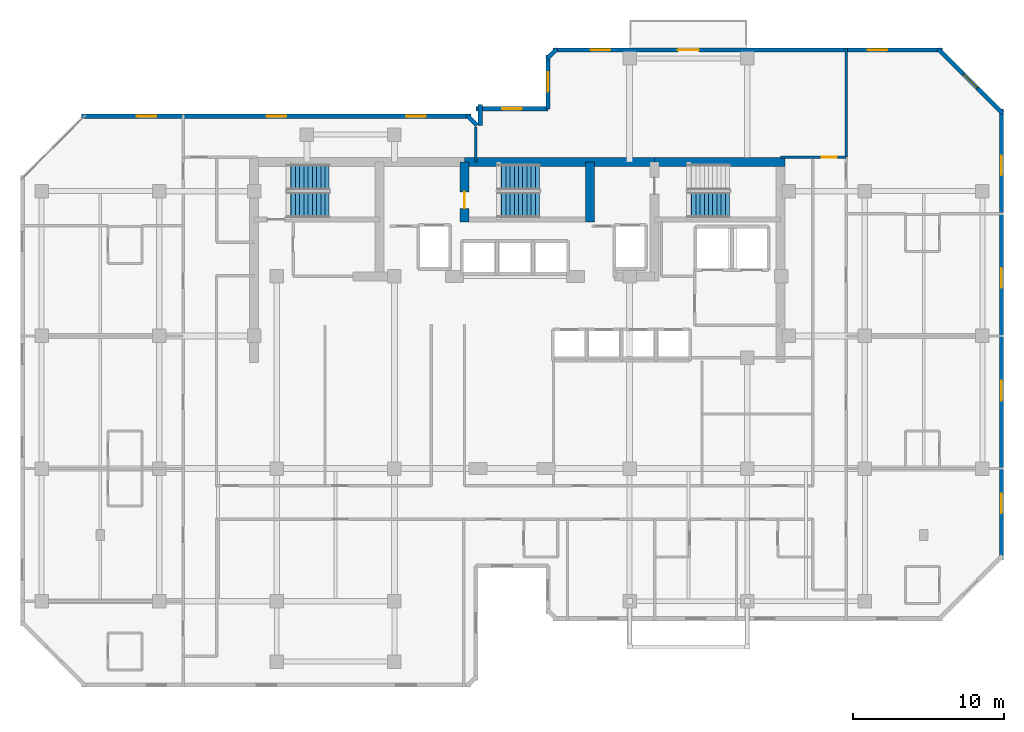
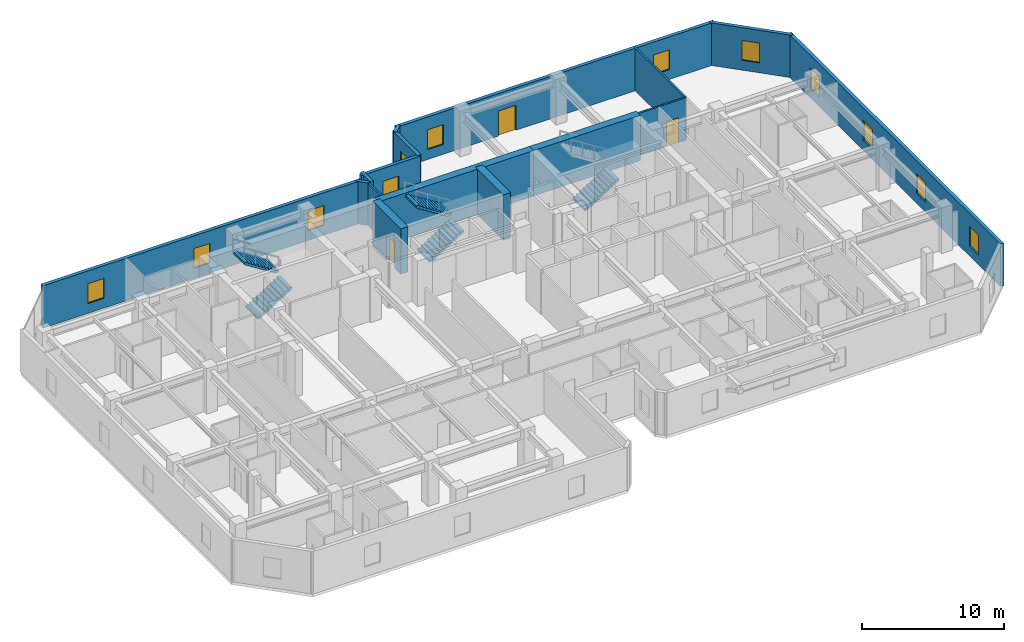
# One storey, part 8 of 10: 16 walls, 12 windows, 5 stair flights, 3 doors, 15 openings, 3 elements without a shape of their own.
"""IFC4 building model written with IfcOpenShell, lengths in metres."""

from ifc_helpers import new_model, si_unit, direction, frame, frame_2d, origin, place, context, subcontext, project, spatial, polyline, rectangle, outline, extrude, material, layer, layer_set, type_object, element, fill, aggregate, save


model = new_model("IFC4")

# Units and contexts
model_context = context("Model", 3, precision=1e-05, world=origin(), true_north=direction((0.0, 1.0)))
body_context = subcontext(model_context, "Body", "Model", "MODEL_VIEW")
ifc_project = project(units=[si_unit("LENGTHUNIT", "METRE"), si_unit("AREAUNIT", "SQUARE_METRE"), si_unit("VOLUMEUNIT", "CUBIC_METRE"), si_unit("PLANEANGLEUNIT", "RADIAN"), si_unit("MASSUNIT", "GRAM", prefix="KILO")], contexts=[model_context])

# Site, building, storey
site_placement = place(None, origin())
site = spatial("IfcSite", under=ifc_project, at=site_placement, CompositionType="ELEMENT")
building_placement = place(site_placement, origin())
building = spatial("IfcBuilding", under=site, at=building_placement, Name="Kestravale Grand Hotel", CompositionType="ELEMENT")
storey_placement = place(building_placement, frame((0.0, 0.0, 224.10009765625)))
storey = spatial("IfcBuildingStorey", under=building, at=storey_placement, Name="L56", CompositionType="ELEMENT", Elevation=224.10009765625)

# Walls
ifc_material_1 = material(Name="Concrete f'c 50 MPa", Category="concrete")
ifc_layer_1 = layer(ifc_material_1, 0.60009765625)
ifc_layer_set_1 = layer_set([ifc_layer_1], Name="EW-CORE-600")
wall_type_1 = type_object("IfcWallType", Name="EW-CORE-600", PredefinedType="SHEAR", material=ifc_layer_set_1)
wall_1_placement = place(storey_placement, frame((35.85009765625, 40.320068359375, 0.0), z_axis=(0.0, 0.0, 1.0), x_axis=(1.0, 0.0, 0.0)))
element("IfcWall", 1, at=wall_1_placement, inside=storey, type_object=wall_type_1, Name="L56 core shear wall N2", PredefinedType="SHEAR", context=body_context, shape_type="SweptSolid", body=[
    extrude(rectangle(XDim=12.599853515625, YDim=0.60009765625, at=frame_2d((6.2998046875, 0.0))), origin(), (0.0, 0.0, 1.0), 3.89990234375),
])
wall_2_placement = place(storey_placement, frame((48.449951171875, 40.320068359375, 0.0), z_axis=(0.0, 0.0, 1.0), x_axis=(1.0, 0.0, 0.0)))
element("IfcWall", 2, at=wall_2_placement, inside=storey, type_object=wall_type_1, Name="L56 core shear wall N3", PredefinedType="SHEAR", context=body_context, shape_type="SweptSolid", body=[
    extrude(rectangle(XDim=8.670166015625, YDim=0.60009765625, at=frame_2d((4.3349609375, 0.0))), origin(), (0.0, 0.0, 1.0), 3.89990234375),
])

# Wall, opening, door
wall_3_placement = place(storey_placement, frame((35.85009765625, 36.3701171875, 0.0), z_axis=(0.0, 0.0, 1.0), x_axis=(0.0, 1.0, 0.0)))
wall_3 = element("IfcWall", 3, at=wall_3_placement, inside=storey, type_object=wall_type_1, Name="L56 core shear wall X2", PredefinedType="SHEAR", context=body_context, shape_type="SweptSolid", body=[
    extrude(rectangle(XDim=3.949951171875, YDim=0.60009765625, at=frame_2d((1.97509765625, 0.0))), origin(), (0.0, 0.0, 1.0), 3.89990234375),
])
opening_1_placement = place(wall_3_placement, frame((0.8798828125, 0.0, 0.0)))
opening_1 = element("IfcOpeningElement", 4, at=opening_1_placement, cuts=wall_3, Name="Opening D-ST-1100", PredefinedType="OPENING", context=body_context, shape_type="SweptSolid", body=[
    extrude(rectangle(XDim=1.10009765625, YDim=2.14990234375, at=frame_2d((0.550048828125, 1.074951171875))), frame((0.0, 0.31005859375, 0.0), z_axis=(0.0, -1.0, 0.0), x_axis=(1.0, 0.0, 0.0)), (0.0, 0.0, 1.0), 0.6201171875),
])
ifc_material_2 = material(Name="Galvanised 90-minute fire-rated steel stair door", Category="steel")
door_type_1 = type_object("IfcDoorType", Name="D-ST-1100", OperationType="NOTDEFINED", PredefinedType="DOOR", material=ifc_material_2)
door_1_placement = place(opening_1_placement, origin())
door_1 = element("IfcDoor", 5, at=door_1_placement, inside=storey, type_object=door_type_1, Name="L56 Stair ST-2 FSAE fire door", OperationType="SINGLE_SWING_RIGHT", OverallHeight=2.14990234375, OverallWidth=1.10009765625, PredefinedType="DOOR", context=body_context, shape_type="SweptSolid", body=[
    extrude(rectangle(XDim=1.10009765625, YDim=2.14990234375, at=frame_2d((0.550048828125, 1.074951171875))), frame((0.0, 0.02490234375, 0.0), z_axis=(0.0, -1.0, 0.0), x_axis=(1.0, 0.0, 0.0)), (0.0, 0.0, 1.0), 0.050048828125),
])
fill(opening_1, door_1)

# Wall
wall_4_placement = place(storey_placement, frame((44.179931640625, 36.3701171875, 0.0), z_axis=(0.0, 0.0, 1.0), x_axis=(0.0, 1.0, 0.0)))
element("IfcWall", 6, at=wall_4_placement, inside=storey, type_object=wall_type_1, Name="L56 core shear wall X3", PredefinedType="SHEAR", context=body_context, shape_type="SweptSolid", body=[
    extrude(rectangle(XDim=3.949951171875, YDim=0.60009765625, at=frame_2d((1.97509765625, 0.0))), origin(), (0.0, 0.0, 1.0), 3.89990234375),
])

# Wall, openings, windows
ifc_material_3 = material(Name="Precast concrete f'c 45 MPa", Category="concrete")
ifc_layer_2 = layer(ifc_material_3, 0.280029296875)
ifc_layer_set_2 = layer_set([ifc_layer_2], Name="EW-PREC-280")
wall_type_2 = type_object("IfcWallType", Name="EW-PREC-280", PredefinedType="SOLIDWALL", material=ifc_layer_set_2)
wall_5_placement = place(storey_placement, frame((71.4599609375, 13.9599609375, 0.0), z_axis=(0.0, 0.0, 1.0), x_axis=(0.0, 1.0, 0.0)))
wall_5 = element("IfcWall", 7, at=wall_5_placement, inside=storey, type_object=wall_type_2, Name="L56 fluted precast facade wall 9", PredefinedType="SOLIDWALL", context=body_context, shape_type="SweptSolid", body=[
    extrude(rectangle(XDim=29.880126953125, YDim=0.280029296875, at=frame_2d((14.93994140625, 0.0))), origin(), (0.0, 0.0, 1.0), 3.64990234375),
])
opening_2_placement = place(wall_5_placement, frame((3.0849609375, 0.0, 0.85009765625)))
opening_2 = element("IfcOpeningElement", 8, at=opening_2_placement, cuts=wall_5, Name="Opening W-GUEST-1300", PredefinedType="OPENING", context=body_context, shape_type="SweptSolid", body=[
    extrude(rectangle(XDim=1.300048828125, YDim=1.699951171875, at=frame_2d((0.64990234375, 0.85009765625))), frame((0.0, 0.14990234375, 0.0), z_axis=(0.0, -1.0, 0.0), x_axis=(1.0, 0.0, 0.0)), (0.0, 0.0, 1.0), 0.300048828125),
])
opening_3_placement = place(wall_5_placement, frame((10.554931640625, 0.0, 0.85009765625)))
opening_3 = element("IfcOpeningElement", 9, at=opening_3_placement, cuts=wall_5, Name="Opening W-GUEST-1300", PredefinedType="OPENING", context=body_context, shape_type="SweptSolid", body=[
    extrude(rectangle(XDim=1.300048828125, YDim=1.699951171875, at=frame_2d((0.64990234375, 0.85009765625))), frame((0.0, 0.14990234375, 0.0), z_axis=(0.0, -1.0, 0.0), x_axis=(1.0, 0.0, 0.0)), (0.0, 0.0, 1.0), 0.300048828125),
])
opening_4_placement = place(wall_5_placement, frame((18.02490234375, 0.0, 0.85009765625)))
opening_4 = element("IfcOpeningElement", 10, at=opening_4_placement, cuts=wall_5, Name="Opening W-GUEST-1300", PredefinedType="OPENING", context=body_context, shape_type="SweptSolid", body=[
    extrude(rectangle(XDim=1.300048828125, YDim=1.699951171875, at=frame_2d((0.64990234375, 0.85009765625))), frame((0.0, 0.14990234375, 0.0), z_axis=(0.0, -1.0, 0.0), x_axis=(1.0, 0.0, 0.0)), (0.0, 0.0, 1.0), 0.300048828125),
])
opening_5_placement = place(wall_5_placement, frame((25.4951171875, 0.0, 0.85009765625)))
opening_5 = element("IfcOpeningElement", 11, at=opening_5_placement, cuts=wall_5, Name="Opening W-GUEST-1300", PredefinedType="OPENING", context=body_context, shape_type="SweptSolid", body=[
    extrude(rectangle(XDim=1.300048828125, YDim=1.699951171875, at=frame_2d((0.64990234375, 0.85009765625))), frame((0.0, 0.14990234375, 0.0), z_axis=(0.0, -1.0, 0.0), x_axis=(1.0, 0.0, 0.0)), (0.0, 0.0, 1.0), 0.300048828125),
])
ifc_material_4 = material(Name="Insulated low-E double glazing in aluminium frame", Category="aluminium")
window_type = type_object("IfcWindowType", Name="W-GUEST-1300", PartitioningType="SINGLE_PANEL", PredefinedType="WINDOW", material=ifc_material_4)
window_1_placement = place(opening_2_placement, origin())
window_1 = element("IfcWindow", 12, at=window_1_placement, inside=storey, type_object=window_type, Name="L56 exterior window 9.1", OverallHeight=1.699951171875, OverallWidth=1.300048828125, PartitioningType="SINGLE_PANEL", PredefinedType="WINDOW", context=body_context, shape_type="SweptSolid", body=[
    extrude(rectangle(XDim=1.300048828125, YDim=1.699951171875, at=frame_2d((0.64990234375, 0.85009765625))), frame((0.0, 0.030029296875, 0.0), z_axis=(0.0, -1.0, 0.0), x_axis=(1.0, 0.0, 0.0)), (0.0, 0.0, 1.0), 0.06005859375),
])
fill(opening_2, window_1)
window_2_placement = place(opening_3_placement, origin())
window_2 = element("IfcWindow", 13, at=window_2_placement, inside=storey, type_object=window_type, Name="L56 exterior window 9.2", OverallHeight=1.699951171875, OverallWidth=1.300048828125, PartitioningType="SINGLE_PANEL", PredefinedType="WINDOW", context=body_context, shape_type="SweptSolid", body=[
    extrude(rectangle(XDim=1.300048828125, YDim=1.699951171875, at=frame_2d((0.64990234375, 0.85009765625))), frame((0.0, 0.030029296875, 0.0), z_axis=(0.0, -1.0, 0.0), x_axis=(1.0, 0.0, 0.0)), (0.0, 0.0, 1.0), 0.06005859375),
])
fill(opening_3, window_2)
window_3_placement = place(opening_4_placement, origin())
window_3 = element("IfcWindow", 14, at=window_3_placement, inside=storey, type_object=window_type, Name="L56 exterior window 9.3", OverallHeight=1.699951171875, OverallWidth=1.300048828125, PartitioningType="SINGLE_PANEL", PredefinedType="WINDOW", context=body_context, shape_type="SweptSolid", body=[
    extrude(rectangle(XDim=1.300048828125, YDim=1.699951171875, at=frame_2d((0.64990234375, 0.85009765625))), frame((0.0, 0.030029296875, 0.0), z_axis=(0.0, -1.0, 0.0), x_axis=(1.0, 0.0, 0.0)), (0.0, 0.0, 1.0), 0.06005859375),
])
fill(opening_4, window_3)
window_4_placement = place(opening_5_placement, origin())
window_4 = element("IfcWindow", 15, at=window_4_placement, inside=storey, type_object=window_type, Name="L56 exterior window 9.4", OverallHeight=1.699951171875, OverallWidth=1.300048828125, PartitioningType="SINGLE_PANEL", PredefinedType="WINDOW", context=body_context, shape_type="SweptSolid", body=[
    extrude(rectangle(XDim=1.300048828125, YDim=1.699951171875, at=frame_2d((0.64990234375, 0.85009765625))), frame((0.0, 0.030029296875, 0.0), z_axis=(0.0, -1.0, 0.0), x_axis=(1.0, 0.0, 0.0)), (0.0, 0.0, 1.0), 0.06005859375),
])
fill(opening_5, window_4)

# Wall, opening, window
wall_6_placement = place(storey_placement, frame((71.529296875, 43.57275390625, 0.0), z_axis=(0.0, 0.0, 1.0), x_axis=(-0.707106781187, 0.707106781187, 0.0)))
wall_6 = element("IfcWall", 16, at=wall_6_placement, inside=storey, type_object=wall_type_2, Name="L56 fluted precast facade wall 10", PredefinedType="SOLIDWALL", context=body_context, shape_type="SweptSolid", body=[
    extrude(rectangle(XDim=6.019775390625, YDim=0.280029296875, at=frame_2d((3.009765625, 0.0))), origin(), (0.0, 0.0, 1.0), 3.64990234375),
])
opening_6_placement = place(wall_6_placement, frame((2.35986328125, 0.0, 0.85009765625)))
opening_6 = element("IfcOpeningElement", 17, at=opening_6_placement, cuts=wall_6, Name="Opening W-GUEST-1300", PredefinedType="OPENING", context=body_context, shape_type="SweptSolid", body=[
    extrude(rectangle(XDim=1.300048828125, YDim=1.699951171875, at=frame_2d((0.64990234375, 0.85009765625))), frame((0.0, 0.14990234375, 0.0), z_axis=(0.0, -1.0, 0.0), x_axis=(1.0, 0.0, 0.0)), (0.0, 0.0, 1.0), 0.300048828125),
])
window_5_placement = place(opening_6_placement, origin())
window_5 = element("IfcWindow", 18, at=window_5_placement, inside=storey, type_object=window_type, Name="L56 exterior window 10.1", OverallHeight=1.699951171875, OverallWidth=1.300048828125, PartitioningType="SINGLE_PANEL", PredefinedType="WINDOW", context=body_context, shape_type="SweptSolid", body=[
    extrude(rectangle(XDim=1.300048828125, YDim=1.699951171875, at=frame_2d((0.64990234375, 0.85009765625))), frame((0.0, 0.030029296875, 0.0), z_axis=(0.0, -1.0, 0.0), x_axis=(1.0, 0.0, 0.0)), (0.0, 0.0, 1.0), 0.06005859375),
])
fill(opening_6, window_5)

# Wall, openings, door, windows
wall_7_placement = place(storey_placement, frame((67.5400390625, 47.760009765625, 0.0), z_axis=(0.0, 0.0, 1.0), x_axis=(-1.0, 0.0, 0.0)))
wall_7 = element("IfcWall", 19, at=wall_7_placement, inside=storey, type_object=wall_type_2, Name="L56 fluted precast facade wall 11", PredefinedType="SOLIDWALL", context=body_context, shape_type="SweptSolid", body=[
    extrude(rectangle(XDim=25.830078125, YDim=0.280029296875, at=frame_2d((12.9150390625, 0.0))), origin(), (0.0, 0.0, 1.0), 3.64990234375),
])
opening_7_placement = place(wall_7_placement, frame((16.139892578125, 0.0, 0.0)))
opening_7 = element("IfcOpeningElement", 20, at=opening_7_placement, cuts=wall_7, Name="Opening D-TERR-1400", PredefinedType="OPENING", context=body_context, shape_type="SweptSolid", body=[
    extrude(rectangle(XDim=1.39990234375, YDim=2.14990234375, at=frame_2d((0.699951171875, 1.074951171875))), frame((0.0, 0.14990234375, 0.0), z_axis=(0.0, -1.0, 0.0), x_axis=(1.0, 0.0, 0.0)), (0.0, 0.0, 1.0), 0.300048828125),
])
opening_8_placement = place(wall_7_placement, frame((3.655029296875, 0.0, 0.85009765625)))
opening_8 = element("IfcOpeningElement", 21, at=opening_8_placement, cuts=wall_7, Name="Opening W-GUEST-1300", PredefinedType="OPENING", context=body_context, shape_type="SweptSolid", body=[
    extrude(rectangle(XDim=1.300048828125, YDim=1.699951171875, at=frame_2d((0.64990234375, 0.85009765625))), frame((0.0, 0.14990234375, 0.0), z_axis=(0.0, -1.0, 0.0), x_axis=(1.0, 0.0, 0.0)), (0.0, 0.0, 1.0), 0.300048828125),
])
opening_9_placement = place(wall_7_placement, frame((22.02490234375, 0.0, 0.85009765625)))
opening_9 = element("IfcOpeningElement", 22, at=opening_9_placement, cuts=wall_7, Name="Opening W-GUEST-1300", PredefinedType="OPENING", context=body_context, shape_type="SweptSolid", body=[
    extrude(rectangle(XDim=1.300048828125, YDim=1.699951171875, at=frame_2d((0.64990234375, 0.85009765625))), frame((0.0, 0.14990234375, 0.0), z_axis=(0.0, -1.0, 0.0), x_axis=(1.0, 0.0, 0.0)), (0.0, 0.0, 1.0), 0.300048828125),
])
ifc_material_5 = material(Name="Insulated glazed champagne-bronze aluminium door", Category="aluminium")
door_type_2 = type_object("IfcDoorType", Name="D-TERR-1400", OperationType="NOTDEFINED", PredefinedType="DOOR", material=ifc_material_5)
door_2_placement = place(opening_7_placement, origin())
door_2 = element("IfcDoor", 23, at=door_2_placement, inside=storey, type_object=door_type_2, Name="L56 outdoor garden terrace door", OperationType="DOUBLE_DOOR_SINGLE_SWING", OverallHeight=2.14990234375, OverallWidth=1.39990234375, PredefinedType="DOOR", context=body_context, shape_type="SweptSolid", body=[
    extrude(rectangle(XDim=1.39990234375, YDim=2.14990234375, at=frame_2d((0.699951171875, 1.074951171875))), frame((0.0, 0.02490234375, 0.0), z_axis=(0.0, -1.0, 0.0), x_axis=(1.0, 0.0, 0.0)), (0.0, 0.0, 1.0), 0.050048828125),
])
fill(opening_7, door_2)
window_6_placement = place(opening_8_placement, origin())
window_6 = element("IfcWindow", 24, at=window_6_placement, inside=storey, type_object=window_type, Name="L56 exterior window 11.1", OverallHeight=1.699951171875, OverallWidth=1.300048828125, PartitioningType="SINGLE_PANEL", PredefinedType="WINDOW", context=body_context, shape_type="SweptSolid", body=[
    extrude(rectangle(XDim=1.300048828125, YDim=1.699951171875, at=frame_2d((0.64990234375, 0.85009765625))), frame((0.0, 0.030029296875, 0.0), z_axis=(0.0, -1.0, 0.0), x_axis=(1.0, 0.0, 0.0)), (0.0, 0.0, 1.0), 0.06005859375),
])
fill(opening_8, window_6)
window_7_placement = place(opening_9_placement, origin())
window_7 = element("IfcWindow", 25, at=window_7_placement, inside=storey, type_object=window_type, Name="L56 exterior window 11.2", OverallHeight=1.699951171875, OverallWidth=1.300048828125, PartitioningType="SINGLE_PANEL", PredefinedType="WINDOW", context=body_context, shape_type="SweptSolid", body=[
    extrude(rectangle(XDim=1.300048828125, YDim=1.699951171875, at=frame_2d((0.64990234375, 0.85009765625))), frame((0.0, 0.030029296875, 0.0), z_axis=(0.0, -1.0, 0.0), x_axis=(1.0, 0.0, 0.0)), (0.0, 0.0, 1.0), 0.06005859375),
])
fill(opening_9, window_7)

# Wall
wall_8_placement = place(storey_placement, frame((41.977294921875, 47.829345703125, 0.0), z_axis=(0.0, 0.0, 1.0), x_axis=(-0.706975312048, -0.707238225886, 0.0)))
element("IfcWall", 26, at=wall_8_placement, inside=storey, type_object=wall_type_2, Name="L56 fluted precast facade wall 12", PredefinedType="SOLIDWALL", context=body_context, shape_type="SweptSolid", body=[
    extrude(rectangle(XDim=0.9287109375, YDim=0.280029296875, at=frame_2d((0.46435546875, 0.0))), origin(), (0.0, 0.0, 1.0), 3.64990234375),
])

# Wall, opening, window
wall_9_placement = place(storey_placement, frame((41.389892578125, 47.43994140625, 0.0), z_axis=(0.0, 0.0, 1.0), x_axis=(0.0, -1.0, 0.0)))
wall_9 = element("IfcWall", 27, at=wall_9_placement, inside=storey, type_object=wall_type_2, Name="L56 fluted precast facade wall 13", PredefinedType="SOLIDWALL", context=body_context, shape_type="SweptSolid", body=[
    extrude(rectangle(XDim=3.579833984375, YDim=0.280029296875, at=frame_2d((1.7900390625, 0.0))), origin(), (0.0, 0.0, 1.0), 3.64990234375),
])
opening_10_placement = place(wall_9_placement, frame((1.139892578125, 0.0, 0.85009765625)))
opening_10 = element("IfcOpeningElement", 28, at=opening_10_placement, cuts=wall_9, Name="Opening W-GUEST-1300", PredefinedType="OPENING", context=body_context, shape_type="SweptSolid", body=[
    extrude(rectangle(XDim=1.300048828125, YDim=1.699951171875, at=frame_2d((0.64990234375, 0.85009765625))), frame((0.0, 0.14990234375, 0.0), z_axis=(0.0, -1.0, 0.0), x_axis=(1.0, 0.0, 0.0)), (0.0, 0.0, 1.0), 0.300048828125),
])
window_8_placement = place(opening_10_placement, origin())
window_8 = element("IfcWindow", 29, at=window_8_placement, inside=storey, type_object=window_type, Name="L56 exterior window 13.1", OverallHeight=1.699951171875, OverallWidth=1.300048828125, PartitioningType="SINGLE_PANEL", PredefinedType="WINDOW", context=body_context, shape_type="SweptSolid", body=[
    extrude(rectangle(XDim=1.300048828125, YDim=1.699951171875, at=frame_2d((0.64990234375, 0.85009765625))), frame((0.0, 0.030029296875, 0.0), z_axis=(0.0, -1.0, 0.0), x_axis=(1.0, 0.0, 0.0)), (0.0, 0.0, 1.0), 0.06005859375),
])
fill(opening_10, window_8)

wall_10_placement = place(storey_placement, frame((41.389892578125, 43.860107421875, 0.0), z_axis=(0.0, 0.0, 1.0), x_axis=(-1.0, 0.0, 0.0)))
wall_10 = element("IfcWall", 30, at=wall_10_placement, inside=storey, type_object=wall_type_2, Name="L56 fluted precast facade wall 14", PredefinedType="SOLIDWALL", context=body_context, shape_type="SweptSolid", body=[
    extrude(rectangle(XDim=4.77978515625, YDim=0.280029296875, at=frame_2d((2.389892578125, 0.0))), origin(), (0.0, 0.0, 1.0), 3.64990234375),
])
opening_11_placement = place(wall_10_placement, frame((1.739990234375, 0.0, 0.85009765625)))
opening_11 = element("IfcOpeningElement", 31, at=opening_11_placement, cuts=wall_10, Name="Opening W-GUEST-1300", PredefinedType="OPENING", context=body_context, shape_type="SweptSolid", body=[
    extrude(rectangle(XDim=1.300048828125, YDim=1.699951171875, at=frame_2d((0.64990234375, 0.85009765625))), frame((0.0, 0.14990234375, 0.0), z_axis=(0.0, -1.0, 0.0), x_axis=(1.0, 0.0, 0.0)), (0.0, 0.0, 1.0), 0.300048828125),
])
window_9_placement = place(opening_11_placement, origin())
window_9 = element("IfcWindow", 32, at=window_9_placement, inside=storey, type_object=window_type, Name="L56 exterior window 14.1", OverallHeight=1.699951171875, OverallWidth=1.300048828125, PartitioningType="SINGLE_PANEL", PredefinedType="WINDOW", context=body_context, shape_type="SweptSolid", body=[
    extrude(rectangle(XDim=1.300048828125, YDim=1.699951171875, at=frame_2d((0.64990234375, 0.85009765625))), frame((0.0, 0.030029296875, 0.0), z_axis=(0.0, -1.0, 0.0), x_axis=(1.0, 0.0, 0.0)), (0.0, 0.0, 1.0), 0.06005859375),
])
fill(opening_11, window_9)

# Walls
wall_11_placement = place(storey_placement, frame((36.889892578125, 44.139892578125, 0.0), z_axis=(0.0, 0.0, 1.0), x_axis=(0.0, -1.0, 0.0)))
element("IfcWall", 33, at=wall_11_placement, inside=storey, type_object=wall_type_2, Name="L56 fluted precast facade wall 15", PredefinedType="SOLIDWALL", context=body_context, shape_type="SweptSolid", body=[
    extrude(rectangle(XDim=1.3798828125, YDim=0.280029296875, at=frame_2d((0.68994140625, 0.0))), origin(), (0.0, 0.0, 1.0), 3.64990234375),
])
wall_12_placement = place(storey_placement, frame((36.67919921875, 42.772705078125, 0.0), z_axis=(0.0, 0.0, 1.0), x_axis=(-0.707106781187, 0.707106781187, 0.0)))
element("IfcWall", 34, at=wall_12_placement, inside=storey, type_object=wall_type_2, Name="L56 fluted precast facade wall 16", PredefinedType="SOLIDWALL", context=body_context, shape_type="SweptSolid", body=[
    extrude(rectangle(XDim=0.928466796875, YDim=0.280029296875, at=frame_2d((0.46435546875, 0.0))), origin(), (0.0, 0.0, 1.0), 3.64990234375),
])

# Wall, openings, windows
wall_13_placement = place(storey_placement, frame((36.2900390625, 43.360107421875, 0.0), z_axis=(0.0, 0.0, 1.0), x_axis=(-1.0, 0.0, 0.0)))
wall_13 = element("IfcWall", 35, at=wall_13_placement, inside=storey, type_object=wall_type_2, Name="L56 fluted precast facade wall 17", PredefinedType="SOLIDWALL", context=body_context, shape_type="SweptSolid", body=[
    extrude(rectangle(XDim=25.830078125, YDim=0.280029296875, at=frame_2d((12.9150390625, 0.0))), origin(), (0.0, 0.0, 1.0), 3.64990234375),
])
opening_12_placement = place(wall_13_placement, frame((3.0048828125, 0.0, 0.85009765625)))
opening_12 = element("IfcOpeningElement", 36, at=opening_12_placement, cuts=wall_13, Name="Opening W-GUEST-1300", PredefinedType="OPENING", context=body_context, shape_type="SweptSolid", body=[
    extrude(rectangle(XDim=1.300048828125, YDim=1.699951171875, at=frame_2d((0.64990234375, 0.85009765625))), frame((0.0, 0.14990234375, 0.0), z_axis=(0.0, -1.0, 0.0), x_axis=(1.0, 0.0, 0.0)), (0.0, 0.0, 1.0), 0.300048828125),
])
opening_13_placement = place(wall_13_placement, frame((12.264892578125, 0.0, 0.85009765625)))
opening_13 = element("IfcOpeningElement", 37, at=opening_13_placement, cuts=wall_13, Name="Opening W-GUEST-1300", PredefinedType="OPENING", context=body_context, shape_type="SweptSolid", body=[
    extrude(rectangle(XDim=1.300048828125, YDim=1.699951171875, at=frame_2d((0.64990234375, 0.85009765625))), frame((0.0, 0.14990234375, 0.0), z_axis=(0.0, -1.0, 0.0), x_axis=(1.0, 0.0, 0.0)), (0.0, 0.0, 1.0), 0.300048828125),
])
opening_14_placement = place(wall_13_placement, frame((20.875, 0.0, 0.85009765625)))
opening_14 = element("IfcOpeningElement", 38, at=opening_14_placement, cuts=wall_13, Name="Opening W-GUEST-1300", PredefinedType="OPENING", context=body_context, shape_type="SweptSolid", body=[
    extrude(rectangle(XDim=1.300048828125, YDim=1.699951171875, at=frame_2d((0.64990234375, 0.85009765625))), frame((0.0, 0.14990234375, 0.0), z_axis=(0.0, -1.0, 0.0), x_axis=(1.0, 0.0, 0.0)), (0.0, 0.0, 1.0), 0.300048828125),
])
window_10_placement = place(opening_12_placement, origin())
window_10 = element("IfcWindow", 39, at=window_10_placement, inside=storey, type_object=window_type, Name="L56 exterior window 17.1", OverallHeight=1.699951171875, OverallWidth=1.300048828125, PartitioningType="SINGLE_PANEL", PredefinedType="WINDOW", context=body_context, shape_type="SweptSolid", body=[
    extrude(rectangle(XDim=1.300048828125, YDim=1.699951171875, at=frame_2d((0.64990234375, 0.85009765625))), frame((0.0, 0.030029296875, 0.0), z_axis=(0.0, -1.0, 0.0), x_axis=(1.0, 0.0, 0.0)), (0.0, 0.0, 1.0), 0.06005859375),
])
fill(opening_12, window_10)
window_11_placement = place(opening_13_placement, origin())
window_11 = element("IfcWindow", 40, at=window_11_placement, inside=storey, type_object=window_type, Name="L56 exterior window 17.2", OverallHeight=1.699951171875, OverallWidth=1.300048828125, PartitioningType="SINGLE_PANEL", PredefinedType="WINDOW", context=body_context, shape_type="SweptSolid", body=[
    extrude(rectangle(XDim=1.300048828125, YDim=1.699951171875, at=frame_2d((0.64990234375, 0.85009765625))), frame((0.0, 0.030029296875, 0.0), z_axis=(0.0, -1.0, 0.0), x_axis=(1.0, 0.0, 0.0)), (0.0, 0.0, 1.0), 0.06005859375),
])
fill(opening_13, window_11)
window_12_placement = place(opening_14_placement, origin())
window_12 = element("IfcWindow", 41, at=window_12_placement, inside=storey, type_object=window_type, Name="L56 exterior window 17.3", OverallHeight=1.699951171875, OverallWidth=1.300048828125, PartitioningType="SINGLE_PANEL", PredefinedType="WINDOW", context=body_context, shape_type="SweptSolid", body=[
    extrude(rectangle(XDim=1.300048828125, YDim=1.699951171875, at=frame_2d((0.64990234375, 0.85009765625))), frame((0.0, 0.030029296875, 0.0), z_axis=(0.0, -1.0, 0.0), x_axis=(1.0, 0.0, 0.0)), (0.0, 0.0, 1.0), 0.06005859375),
])
fill(opening_14, window_12)

# Wall, opening, door
ifc_material_6 = material(Name="Double-stud STC 52 acoustic demising partition", Category="other")
ifc_layer_3 = layer(ifc_material_6, 0.14990234375)
ifc_layer_set_3 = layer_set([ifc_layer_3], Name="IW-UNIT-150")
wall_type_3 = type_object("IfcWallType", Name="IW-UNIT-150", PredefinedType="PARTITIONING", material=ifc_layer_set_3)
wall_14_placement = place(storey_placement, frame((56.800048828125, 40.64990234375, 0.0), z_axis=(0.0, 0.0, 1.0), x_axis=(1.0, 0.0, 0.0)))
wall_14 = element("IfcWall", 42, at=wall_14_placement, inside=storey, type_object=wall_type_3, Name="W-L56-SE-N", PredefinedType="PARTITIONING", context=body_context, shape_type="SweptSolid", body=[
    extrude(rectangle(XDim=4.35986328125, YDim=0.14990234375, at=frame_2d((2.179931640625, 0.0))), origin(), (0.0, 0.0, 1.0), 3.64990234375),
])
opening_15_placement = place(wall_14_placement, frame((2.75, 0.0, 0.0)))
opening_15 = element("IfcOpeningElement", 43, at=opening_15_placement, cuts=wall_14, Name="Opening D-GUEST-1000", PredefinedType="OPENING", context=body_context, shape_type="SweptSolid", body=[
    extrude(rectangle(XDim=1.0, YDim=2.14990234375, at=frame_2d((0.5, 1.074951171875))), frame((0.0, 0.0849609375, 0.0), z_axis=(0.0, -1.0, 0.0), x_axis=(1.0, 0.0, 0.0)), (0.0, 0.0, 1.0), 0.169921875),
])
ifc_material_7 = material(Name="Accessible walnut veneer hotel entrance fire door", Category="wood")
door_type_3 = type_object("IfcDoorType", Name="D-GUEST-1000", OperationType="NOTDEFINED", PredefinedType="DOOR", material=ifc_material_7)
door_3_placement = place(opening_15_placement, origin())
door_3 = element("IfcDoor", 44, at=door_3_placement, inside=storey, type_object=door_type_3, Name="L56 NE Gallery Door", OperationType="SINGLE_SWING_LEFT", OverallHeight=2.14990234375, OverallWidth=1.0, PredefinedType="DOOR", context=body_context, shape_type="SweptSolid", body=[
    extrude(rectangle(XDim=1.0, YDim=2.14990234375, at=frame_2d((0.5, 1.074951171875))), frame((0.0, 0.02490234375, 0.0), z_axis=(0.0, -1.0, 0.0), x_axis=(1.0, 0.0, 0.0)), (0.0, 0.0, 1.0), 0.050048828125),
])
fill(opening_15, door_3)

# Walls
wall_15_placement = place(storey_placement, frame((36.60009765625, 40.320068359375, 0.0), z_axis=(0.0, 0.0, 1.0), x_axis=(0.0, 1.0, 0.0)))
element("IfcWall", 45, at=wall_15_placement, inside=storey, type_object=wall_type_3, Name="W-L56-NGM", PredefinedType="PARTITIONING", context=body_context, shape_type="SweptSolid", body=[
    extrude(rectangle(XDim=2.344970703125, YDim=0.14990234375, at=frame_2d((1.17236328125, 0.0))), origin(), (0.0, 0.0, 1.0), 3.64990234375),
])
wall_16_placement = place(storey_placement, frame((61.159912109375, 40.64990234375, 0.0), z_axis=(0.0, 0.0, 1.0), x_axis=(0.0, 1.0, 0.0)))
element("IfcWall", 46, at=wall_16_placement, inside=storey, type_object=wall_type_3, Name="W-L56-NGE-E", PredefinedType="PARTITIONING", context=body_context, shape_type="SweptSolid", body=[
    extrude(rectangle(XDim=7.22998046875, YDim=0.14990234375, at=frame_2d((3.614990234375, 0.0))), origin(), (0.0, 0.0, 1.0), 3.64990234375),
])

# Stair, stair flights
ifc_material_8 = material(Name="Concrete f'c 45 MPa", Category="concrete")
stair_type = type_object("IfcStairType", Name="ST-CORE-390", PredefinedType="HALF_TURN_STAIR", material=ifc_material_8)
stair_1_placement = place(storey_placement, origin())
stair_1 = element("IfcStair", 47, at=stair_1_placement, inside=storey, type_object=stair_type, Name="L56 ST-1", PredefinedType="HALF_TURN_STAIR")
ifc_material_9 = material(Name="Concrete f'c 45 MPa", Category="concrete")
stair_flight_type = type_object("IfcStairFlightType", Name="STF-CORE-390", PredefinedType="STRAIGHT", material=ifc_material_9)
stair_flight_1_placement = place(storey_placement, frame((24.080078125, 37.489990234375, 0.0), z_axis=(0.0, 0.0, 1.0), x_axis=(1.0, 0.0, 0.0)))
stair_flight_1 = element("IfcStairFlight", 48, at=stair_flight_1_placement, type_object=stair_flight_type, Name="ST-1 flight 1", NumberOfRisers=11, NumberOfTreads=10, PredefinedType="STRAIGHT", RiserHeight=0.177272727, TreadLength=0.28, context=body_context, shape_type="SweptSolid", body=[
    extrude(outline(polyline([(0.0, 0.0), (0.0, 0.17724609375), (0.280029296875, 0.17724609375), (0.280029296875, 0.3544921875), (0.56005859375, 0.3544921875), (0.56005859375, 0.53173828125), (0.840087890625, 0.53173828125), (0.840087890625, 0.708984375), (1.1201171875, 0.708984375), (1.1201171875, 0.886474609375), (1.39990234375, 0.886474609375), (1.39990234375, 1.063720703125), (1.679931640625, 1.063720703125), (1.679931640625, 1.240966796875), (1.9599609375, 1.240966796875), (1.9599609375, 1.418212890625), (2.239990234375, 1.418212890625), (2.239990234375, 1.595458984375), (2.52001953125, 1.595458984375), (2.52001953125, 1.772705078125), (2.800048828125, 1.772705078125), (2.800048828125, 1.949951171875), (2.800048828125, 1.59521484375), (0.2802734375, 0.0), (0.0, 0.0)])), frame((0.0, 0.83984375, 0.0), z_axis=(0.0, -1.0, 0.0), x_axis=(1.0, 0.0, 0.0)), (0.0, 0.0, 1.0), 1.679931640625),
])
stair_flight_2_placement = place(storey_placement, frame((26.8798828125, 39.320068359375, 1.949951171875), z_axis=(0.0, 0.0, 1.0), x_axis=(-1.0, 0.0, 0.0)))
stair_flight_2 = element("IfcStairFlight", 49, at=stair_flight_2_placement, type_object=stair_flight_type, Name="ST-1 flight 2", NumberOfRisers=11, NumberOfTreads=10, PredefinedType="STRAIGHT", RiserHeight=0.177272727, TreadLength=0.28, context=body_context, shape_type="SweptSolid", body=[
    extrude(outline(polyline([(0.0, 0.0), (0.0, 0.17724609375), (0.280029296875, 0.17724609375), (0.280029296875, 0.3544921875), (0.56005859375, 0.3544921875), (0.56005859375, 0.53173828125), (0.840087890625, 0.53173828125), (0.840087890625, 0.708984375), (1.1201171875, 0.708984375), (1.1201171875, 0.886474609375), (1.39990234375, 0.886474609375), (1.39990234375, 1.063720703125), (1.679931640625, 1.063720703125), (1.679931640625, 1.240966796875), (1.9599609375, 1.240966796875), (1.9599609375, 1.418212890625), (2.239990234375, 1.418212890625), (2.239990234375, 1.595458984375), (2.52001953125, 1.595458984375), (2.52001953125, 1.772705078125), (2.800048828125, 1.772705078125), (2.800048828125, 1.949951171875), (2.800048828125, 1.59521484375), (0.2802734375, 0.0), (0.0, 0.0)])), frame((0.0, 0.83984375, 0.0), z_axis=(0.0, -1.0, 0.0), x_axis=(1.0, 0.0, 0.0)), (0.0, 0.0, 1.0), 1.679931640625),
])
aggregate(stair_1, [stair_flight_1, stair_flight_2])

stair_2_placement = place(storey_placement, origin())
stair_2 = element("IfcStair", 50, at=stair_2_placement, inside=storey, type_object=stair_type, Name="L56 ST-2", PredefinedType="HALF_TURN_STAIR")
stair_flight_3_placement = place(storey_placement, frame((38.030029296875, 37.489990234375, 0.0), z_axis=(0.0, 0.0, 1.0), x_axis=(1.0, 0.0, 0.0)))
stair_flight_3 = element("IfcStairFlight", 51, at=stair_flight_3_placement, type_object=stair_flight_type, Name="ST-2 flight 1", NumberOfRisers=11, NumberOfTreads=10, PredefinedType="STRAIGHT", RiserHeight=0.177272727, TreadLength=0.28, context=body_context, shape_type="SweptSolid", body=[
    extrude(outline(polyline([(0.0, 0.0), (0.0, 0.17724609375), (0.280029296875, 0.17724609375), (0.280029296875, 0.3544921875), (0.56005859375, 0.3544921875), (0.56005859375, 0.53173828125), (0.840087890625, 0.53173828125), (0.840087890625, 0.708984375), (1.1201171875, 0.708984375), (1.1201171875, 0.886474609375), (1.39990234375, 0.886474609375), (1.39990234375, 1.063720703125), (1.679931640625, 1.063720703125), (1.679931640625, 1.240966796875), (1.9599609375, 1.240966796875), (1.9599609375, 1.418212890625), (2.239990234375, 1.418212890625), (2.239990234375, 1.595458984375), (2.52001953125, 1.595458984375), (2.52001953125, 1.772705078125), (2.800048828125, 1.772705078125), (2.800048828125, 1.949951171875), (2.800048828125, 1.59521484375), (0.2802734375, 0.0), (0.0, 0.0)])), frame((0.0, 0.83984375, 0.0), z_axis=(0.0, -1.0, 0.0), x_axis=(1.0, 0.0, 0.0)), (0.0, 0.0, 1.0), 1.679931640625),
])
stair_flight_4_placement = place(storey_placement, frame((40.830078125, 39.320068359375, 1.949951171875), z_axis=(0.0, 0.0, 1.0), x_axis=(-1.0, 0.0, 0.0)))
stair_flight_4 = element("IfcStairFlight", 52, at=stair_flight_4_placement, type_object=stair_flight_type, Name="ST-2 flight 2", NumberOfRisers=11, NumberOfTreads=10, PredefinedType="STRAIGHT", RiserHeight=0.177272727, TreadLength=0.28, context=body_context, shape_type="SweptSolid", body=[
    extrude(outline(polyline([(0.0, 0.0), (0.0, 0.17724609375), (0.280029296875, 0.17724609375), (0.280029296875, 0.3544921875), (0.56005859375, 0.3544921875), (0.56005859375, 0.53173828125), (0.840087890625, 0.53173828125), (0.840087890625, 0.708984375), (1.1201171875, 0.708984375), (1.1201171875, 0.886474609375), (1.39990234375, 0.886474609375), (1.39990234375, 1.063720703125), (1.679931640625, 1.063720703125), (1.679931640625, 1.240966796875), (1.9599609375, 1.240966796875), (1.9599609375, 1.418212890625), (2.239990234375, 1.418212890625), (2.239990234375, 1.595458984375), (2.52001953125, 1.595458984375), (2.52001953125, 1.772705078125), (2.800048828125, 1.772705078125), (2.800048828125, 1.949951171875), (2.800048828125, 1.59521484375), (0.2802734375, 0.0), (0.0, 0.0)])), frame((0.0, 0.83984375, 0.0), z_axis=(0.0, -1.0, 0.0), x_axis=(1.0, 0.0, 0.0)), (0.0, 0.0, 1.0), 1.679931640625),
])
aggregate(stair_2, [stair_flight_3, stair_flight_4])

# Stair, stair flight
stair_3_placement = place(storey_placement, origin())
stair_3 = element("IfcStair", 53, at=stair_3_placement, inside=storey, type_object=stair_type, Name="L56 ST-3", PredefinedType="HALF_TURN_STAIR")
stair_flight_5_placement = place(storey_placement, frame((50.6298828125, 37.489990234375, 0.0), z_axis=(0.0, 0.0, 1.0), x_axis=(1.0, 0.0, 0.0)))
stair_flight_5 = element("IfcStairFlight", 54, at=stair_flight_5_placement, type_object=stair_flight_type, Name="ST-3 flight 1", NumberOfRisers=11, NumberOfTreads=10, PredefinedType="STRAIGHT", RiserHeight=0.177272727, TreadLength=0.28, context=body_context, shape_type="SweptSolid", body=[
    extrude(outline(polyline([(0.0, 0.0), (0.0, 0.17724609375), (0.280029296875, 0.17724609375), (0.280029296875, 0.3544921875), (0.56005859375, 0.3544921875), (0.56005859375, 0.53173828125), (0.840087890625, 0.53173828125), (0.840087890625, 0.708984375), (1.1201171875, 0.708984375), (1.1201171875, 0.886474609375), (1.39990234375, 0.886474609375), (1.39990234375, 1.063720703125), (1.679931640625, 1.063720703125), (1.679931640625, 1.240966796875), (1.9599609375, 1.240966796875), (1.9599609375, 1.418212890625), (2.239990234375, 1.418212890625), (2.239990234375, 1.595458984375), (2.52001953125, 1.595458984375), (2.52001953125, 1.772705078125), (2.800048828125, 1.772705078125), (2.800048828125, 1.949951171875), (2.800048828125, 1.59521484375), (0.2802734375, 0.0), (0.0, 0.0)])), frame((0.0, 0.83984375, 0.0), z_axis=(0.0, -1.0, 0.0), x_axis=(1.0, 0.0, 0.0)), (0.0, 0.0, 1.0), 1.679931640625),
])
aggregate(stair_3, [stair_flight_5])

save(model, "model.ifc")
